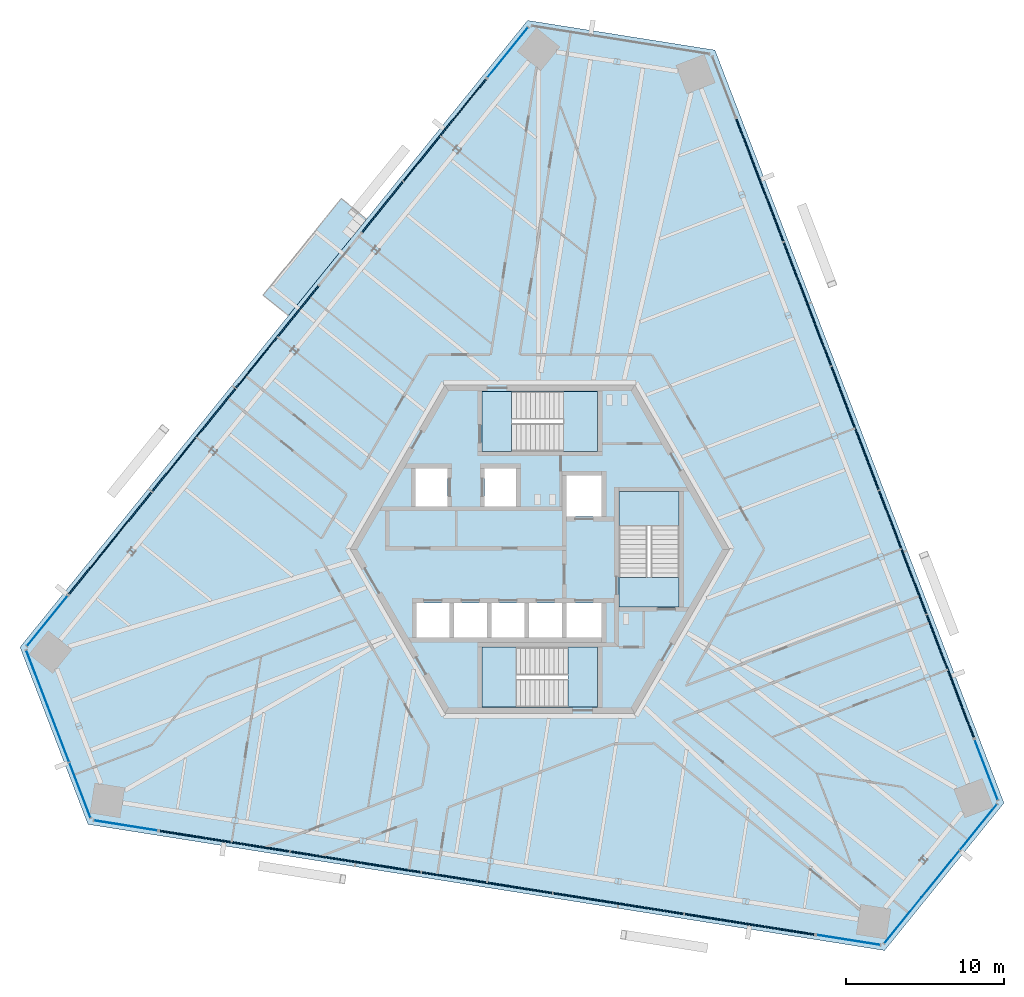
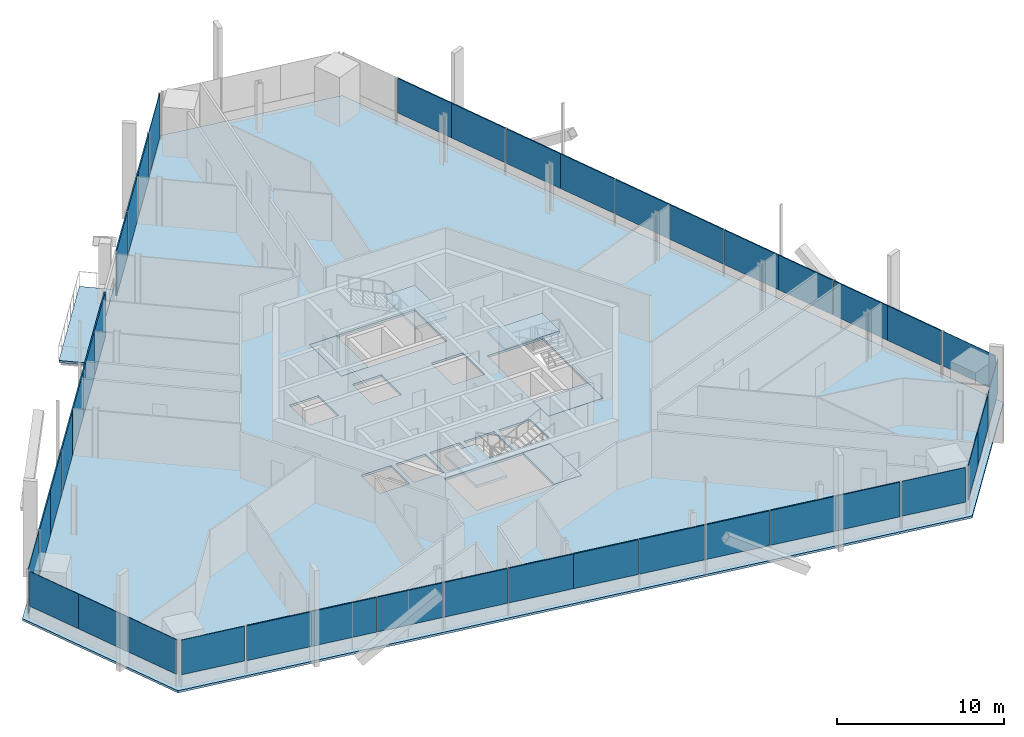
# One storey, part 10 of 21: 40 plates, 8 slabs, 14 elements without a shape of their own.
"""IFC4 building model written with IfcOpenShell, lengths in metres."""

from ifc_helpers import new_model, si_unit, direction, frame, origin, origin_2d, place, context, subcontext, project, spatial, polyline, rectangle, outline, extrude, source, transform, mapped, material, layer, layer_set, type_object, element, aggregate, save


model = new_model("IFC4")

# Units and contexts
model_context = context("Model", 3, precision=1e-05, world=origin(), true_north=direction((0.0, 1.0)))
body_context = subcontext(model_context, "Body", "Model", "MODEL_VIEW")
ifc_project = project(units=[si_unit("LENGTHUNIT", "METRE"), si_unit("AREAUNIT", "SQUARE_METRE"), si_unit("VOLUMEUNIT", "CUBIC_METRE"), si_unit("PLANEANGLEUNIT", "RADIAN"), si_unit("MASSUNIT", "GRAM", prefix="KILO")], contexts=[model_context])

# Site, building, storey
site_placement = place(None, origin())
site = spatial("IfcSite", under=ifc_project, at=site_placement, CompositionType="ELEMENT")
building_placement = place(site_placement, origin())
building = spatial("IfcBuilding", under=site, at=building_placement, Name="Triune Harvest Tower", CompositionType="ELEMENT")
storey_placement = place(building_placement, frame((0.0, 0.0, 146.10009765625)))
storey = spatial("IfcBuildingStorey", under=building, at=storey_placement, Name="L37", CompositionType="ELEMENT", Elevation=146.10009765625)

# Slabs
ifc_material_1 = material(Name="Concrete 40 MPa", Category="concrete")
ifc_layer_1 = layer(ifc_material_1, 0.159912109375)
ifc_layer_set_1 = layer_set([ifc_layer_1], Name="Concrete 40 MPa")
slab_type_1 = type_object("IfcSlabType", Name="BA-1 balcony slab 160", PredefinedType="FLOOR", material=ifc_layer_set_1)
slab_1_placement = place(storey_placement, frame((0.0, 0.0, -0.16015625)))
element("IfcSlab", 1, at=slab_1_placement, inside=storey, type_object=slab_type_1, Name="Balcony slab B4-F3 L37.5", PredefinedType="FLOOR", context=body_context, shape_type="SweptSolid", body=[
    extrude(outline(polyline([(-10.953125, 20.877197265625), (-15.894775390625, 14.77490234375), (-17.49658203125, 16.072265625), (-12.554931640625, 22.174560546875), (-10.953125, 20.877197265625)])), origin(), (0.0, 0.0, 1.0), 0.16015625),
])
ifc_material_2 = material(Name="Concrete 40 MPa", Category="concrete")
ifc_layer_2 = layer(ifc_material_2, 0.159912109375)
ifc_layer_set_2 = layer_set([ifc_layer_2], Name="Concrete 40 MPa")
slab_type_2 = type_object("IfcSlabType", Name="SL-1 Composite floor slab 160", PredefinedType="FLOOR", material=ifc_layer_set_2)
shared_shape_1 = source(origin(), body_context, "Body", "SweptSolid", [
    extrude(outline(polyline([(29.35107421875, -16.04736328125), (11.07421875, 31.565185546875), (-0.778076171875, 33.4423828125), (-32.873291015625, -6.19189453125), (-28.572998046875, -17.39501953125), (21.799072265625, -25.373291015625), (29.35107421875, -16.04736328125)]), holes=[polyline([(-5.72509765625, -5.590087890625), (-5.72509765625, -3.389892578125), (-7.800048828125, -3.389892578125), (-7.800048828125, -5.590087890625), (-5.72509765625, -5.590087890625)]), polyline([(-3.35009765625, -5.590087890625), (-3.35009765625, -3.389892578125), (-5.425048828125, -3.389892578125), (-5.425048828125, -5.590087890625), (-3.35009765625, -5.590087890625)]), polyline([(-0.97509765625, -5.590087890625), (-0.97509765625, -3.389892578125), (-3.050048828125, -3.389892578125), (-3.050048828125, -5.590087890625), (-0.97509765625, -5.590087890625)]), polyline([(1.39990234375, -5.590087890625), (1.39990234375, -3.389892578125), (-0.675048828125, -3.389892578125), (-0.675048828125, -5.590087890625), (1.39990234375, -5.590087890625)]), polyline([(3.89990234375, 2.06005859375), (3.89990234375, 4.659912109375), (1.699951171875, 4.659912109375), (1.699951171875, 2.06005859375), (3.89990234375, 2.06005859375)]), polyline([(3.89990234375, -5.590087890625), (3.89990234375, -3.389892578125), (1.699951171875, -3.389892578125), (1.699951171875, -5.590087890625), (3.89990234375, -5.590087890625)]), polyline([(-5.85009765625, 2.7099609375), (-5.85009765625, 5.110107421875), (-7.85009765625, 5.110107421875), (-7.85009765625, 2.7099609375), (-5.85009765625, 2.7099609375)]), polyline([(-1.5, 2.7099609375), (-1.5, 5.110107421875), (-3.5, 5.110107421875), (-3.5, 2.7099609375), (-1.5, 2.7099609375)]), polyline([(3.64990234375, 6.18994140625), (3.64990234375, 9.989990234375), (-3.64990234375, 9.989990234375), (-3.64990234375, 6.18994140625), (3.64990234375, 6.18994140625)]), polyline([(3.64990234375, -9.989990234375), (3.64990234375, -6.18994140625), (-3.64990234375, -6.18994140625), (-3.64990234375, -9.989990234375), (3.64990234375, -9.989990234375)]), polyline([(8.800048828125, -3.64990234375), (8.800048828125, 3.64990234375), (5.0, 3.64990234375), (5.0, -3.64990234375), (8.800048828125, -3.64990234375)])]), origin(), (0.0, 0.0, 1.0), 0.16015625),
])
slab_2_placement = place(storey_placement, frame((0.0, 0.0, -0.16015625)))
element("IfcSlab", 2, at=slab_2_placement, inside=storey, type_object=slab_type_2, Name="slab/L37/1", PredefinedType="FLOOR", context=body_context, shape_type="MappedRepresentation", body=[
    mapped(shared_shape_1, transform((0.0, 0.0, 0.0), scale=1.0)),
])

# Stair, slabs
ifc_material_3 = material(Name="Concrete 40 MPa", Category="concrete")
stair_type = type_object("IfcStairType", Name="Exit stair 1800 half turn", PredefinedType="HALF_TURN_STAIR", material=ifc_material_3)
stair_1_placement = place(storey_placement, origin())
stair_1 = element("IfcStair", 3, at=stair_1_placement, inside=storey, type_object=stair_type, Name="Exit stair north", PredefinedType="HALF_TURN_STAIR")
ifc_material_4 = material(Name="Concrete 40 MPa", Category="concrete")
ifc_layer_3 = layer(ifc_material_4, 0.199951171875)
ifc_layer_set_3 = layer_set([ifc_layer_3], Name="Concrete 40 MPa")
slab_type_3 = type_object("IfcSlabType", Name="Stair landing 200", PredefinedType="LANDING", material=ifc_layer_set_3)
shared_shape_2 = source(origin(), body_context, "Body", "SweptSolid", [
    extrude(outline(polyline([(1.510009765625, 6.18994140625), (3.64990234375, 6.18994140625), (3.64990234375, 9.989990234375), (1.510009765625, 9.989990234375), (1.510009765625, 6.18994140625)])), origin(), (0.0, 0.0, 1.0), 0.199951171875),
])
slab_3_placement = place(storey_placement, frame((0.0, 0.0, 1.599853515625)))
slab_3 = element("IfcSlab", 4, at=slab_3_placement, type_object=slab_type_3, Name="ST-1 landing 2", PredefinedType="LANDING", context=body_context, shape_type="MappedRepresentation", body=[
    mapped(shared_shape_2, transform((0.0, 0.0, 0.0), scale=1.0)),
])
shared_shape_3 = source(origin(), body_context, "Body", "SweptSolid", [
    extrude(outline(polyline([(-3.64990234375, 6.18994140625), (-1.780029296875, 6.18994140625), (-1.780029296875, 9.989990234375), (-3.64990234375, 9.989990234375), (-3.64990234375, 6.18994140625)])), origin(), (0.0, 0.0, 1.0), 0.2001953125),
])
slab_4_placement = place(storey_placement, frame((0.0, 0.0, -0.2001953125)))
slab_4 = element("IfcSlab", 5, at=slab_4_placement, type_object=slab_type_3, Name="ST-1 landing 1", PredefinedType="LANDING", context=body_context, shape_type="MappedRepresentation", body=[
    mapped(shared_shape_3, transform((0.0, 0.0, 0.0), scale=1.0)),
])
aggregate(stair_1, [slab_4, slab_3])

stair_2_placement = place(storey_placement, origin())
stair_2 = element("IfcStair", 6, at=stair_2_placement, inside=storey, type_object=stair_type, Name="Exit stair south", PredefinedType="HALF_TURN_STAIR")
shared_shape_4 = source(origin(), body_context, "Body", "SweptSolid", [
    extrude(outline(polyline([(-1.510009765625, -6.18994140625), (-3.64990234375, -6.18994140625), (-3.64990234375, -9.989990234375), (-1.510009765625, -9.989990234375), (-1.510009765625, -6.18994140625)])), origin(), (0.0, 0.0, 1.0), 0.199951171875),
])
slab_5_placement = place(storey_placement, frame((0.0, 0.0, 1.599853515625)))
slab_5 = element("IfcSlab", 7, at=slab_5_placement, type_object=slab_type_3, Name="ST-2 landing 2", PredefinedType="LANDING", context=body_context, shape_type="MappedRepresentation", body=[
    mapped(shared_shape_4, transform((0.0, 0.0, 0.0), scale=1.0)),
])
shared_shape_5 = source(origin(), body_context, "Body", "SweptSolid", [
    extrude(outline(polyline([(3.64990234375, -6.18994140625), (1.780029296875, -6.18994140625), (1.780029296875, -9.989990234375), (3.64990234375, -9.989990234375), (3.64990234375, -6.18994140625)])), origin(), (0.0, 0.0, 1.0), 0.2001953125),
])
slab_6_placement = place(storey_placement, frame((0.0, 0.0, -0.2001953125)))
slab_6 = element("IfcSlab", 8, at=slab_6_placement, type_object=slab_type_3, Name="ST-2 landing 1", PredefinedType="LANDING", context=body_context, shape_type="MappedRepresentation", body=[
    mapped(shared_shape_5, transform((0.0, 0.0, 0.0), scale=1.0)),
])
aggregate(stair_2, [slab_6, slab_5])

stair_3_placement = place(storey_placement, origin())
stair_3 = element("IfcStair", 9, at=stair_3_placement, inside=storey, type_object=stair_type, Name="Exit stair east", PredefinedType="HALF_TURN_STAIR")
shared_shape_6 = source(origin(), body_context, "Body", "SweptSolid", [
    extrude(outline(polyline([(8.800048828125, 1.510009765625), (8.800048828125, 3.64990234375), (5.0, 3.64990234375), (5.0, 1.510009765625), (8.800048828125, 1.510009765625)])), origin(), (0.0, 0.0, 1.0), 0.199951171875),
])
slab_7_placement = place(storey_placement, frame((0.0, 0.0, 1.599853515625)))
slab_7 = element("IfcSlab", 10, at=slab_7_placement, type_object=slab_type_3, Name="ST-3 landing 2", PredefinedType="LANDING", context=body_context, shape_type="MappedRepresentation", body=[
    mapped(shared_shape_6, transform((0.0, 0.0, 0.0), scale=1.0)),
])
shared_shape_7 = source(origin(), body_context, "Body", "SweptSolid", [
    extrude(outline(polyline([(8.800048828125, -3.64990234375), (8.800048828125, -1.780029296875), (5.0, -1.780029296875), (5.0, -3.64990234375), (8.800048828125, -3.64990234375)])), origin(), (0.0, 0.0, 1.0), 0.2001953125),
])
slab_8_placement = place(storey_placement, frame((0.0, 0.0, -0.2001953125)))
slab_8 = element("IfcSlab", 11, at=slab_8_placement, type_object=slab_type_3, Name="ST-3 landing 1", PredefinedType="LANDING", context=body_context, shape_type="MappedRepresentation", body=[
    mapped(shared_shape_7, transform((0.0, 0.0, 0.0), scale=1.0)),
])
aggregate(stair_3, [slab_8, slab_7])

# Curtain wall, plate
ifc_material_5 = material(Name="Aluminium bronze anodised", Category="aluminium")
curtain_wall_type_1 = type_object("IfcCurtainWallType", Name="CW-6 Balcony window wall", PredefinedType="NOTDEFINED", material=ifc_material_5)
curtain_wall_1_placement = place(storey_placement, origin())
curtain_wall_1 = element("IfcCurtainWall", 12, at=curtain_wall_1_placement, inside=storey, type_object=curtain_wall_type_1, Name="CW-6 B4-F3 L37 run 1")
ifc_material_6 = material(Name="Glass", Category="glass")
ifc_layer_4 = layer(ifc_material_6, 0.030029296875)
ifc_layer_set_4 = layer_set([ifc_layer_4], Name="Glass")
plate_type_1 = type_object("IfcPlateType", Name="GL-6 panel 30", PredefinedType="CURTAIN_PANEL", material=ifc_layer_set_4)
shared_shape_8 = source(origin(), body_context, "Body", "SweptSolid", [
    extrude(rectangle(XDim=4.048583984375, YDim=0.030029296875, at=origin_2d()), origin(), (0.0, 0.0, 1.0), 3.2900390625),
])
plate_1_placement = place(storey_placement, frame((-2.03173828125, 31.41748046875, 0.14990234375), z_axis=(0.0, 0.0, 1.0), x_axis=(-0.629316167233, -0.777149381818, 0.0)))
plate_1 = element("IfcPlate", 13, at=plate_1_placement, type_object=plate_type_1, Name="CW-6 panel B4-F3 1.1", PredefinedType="CURTAIN_PANEL", context=body_context, shape_type="MappedRepresentation", body=[
    mapped(shared_shape_8, transform((0.0, 0.0, 0.0), scale=1.0)),
])
aggregate(curtain_wall_1, [plate_1])

# Curtain wall, plates
ifc_material_7 = material(Name="Aluminium bronze anodised", Category="aluminium")
curtain_wall_type_2 = type_object("IfcCurtainWallType", Name="CW-10 Balcony window wall with insulated spandrel infill", PredefinedType="NOTDEFINED", material=ifc_material_7)
curtain_wall_2_placement = place(storey_placement, origin())
curtain_wall_2 = element("IfcCurtainWall", 14, at=curtain_wall_2_placement, inside=storey, type_object=curtain_wall_type_2, Name="CW-10 B4-F3 L37 run 1001")
ifc_material_8 = material(Name="Insulated spandrel panel, bronze aluminium pan", Category="aluminium")
ifc_layer_5 = layer(ifc_material_8, 0.080078125)
ifc_layer_set_5 = layer_set([ifc_layer_5], Name="Insulated spandrel panel, bronze aluminium pan")
plate_type_2 = type_object("IfcPlateType", Name="SP-1 insulated spandrel panel 80", PredefinedType="CURTAIN_PANEL", material=ifc_layer_set_5)
shared_shape_9 = source(origin(), body_context, "Body", "SweptSolid", [
    extrude(rectangle(XDim=4.12353515625, YDim=0.080078125, at=origin_2d()), origin(), (0.0, 0.0, 1.0), 3.2900390625),
])
plate_2_placement = place(storey_placement, frame((-4.697509765625, 28.12548828125, 0.14990234375), z_axis=(0.0, 0.0, 1.0), x_axis=(-0.629323223036, -0.777143668151, 0.0)))
plate_2 = element("IfcPlate", 15, at=plate_2_placement, type_object=plate_type_2, Name="CW-10 panel B4-F3 1001.1", PredefinedType="CURTAIN_PANEL", context=body_context, shape_type="MappedRepresentation", body=[
    mapped(shared_shape_9, transform((0.0, 0.0, 0.0), scale=1.0)),
])
shared_shape_10 = source(origin(), body_context, "Body", "SweptSolid", [
    extrude(rectangle(XDim=4.1611328125, YDim=0.080078125, at=origin_2d()), origin(), (0.0, 0.0, 1.0), 3.2900390625),
])
plate_3_placement = place(storey_placement, frame((-7.304443359375, 24.90625, 0.14990234375), z_axis=(0.0, 0.0, 1.0), x_axis=(-0.629323223036, -0.777143668151, 0.0)))
plate_3 = element("IfcPlate", 16, at=plate_3_placement, type_object=plate_type_2, Name="CW-10 panel B4-F3 1001.2", PredefinedType="CURTAIN_PANEL", context=body_context, shape_type="MappedRepresentation", body=[
    mapped(shared_shape_10, transform((0.0, 0.0, 0.0), scale=1.0)),
])
shared_shape_11 = source(origin(), body_context, "Body", "SweptSolid", [
    extrude(rectangle(XDim=4.086181640625, YDim=0.080078125, at=origin_2d()), origin(), (0.0, 0.0, 1.0), 3.2900390625),
])
plate_4_placement = place(storey_placement, frame((-9.94677734375, 21.643310546875, 0.14990234375), z_axis=(0.0, 0.0, 1.0), x_axis=(-0.629323223036, -0.777143668151, 0.0)))
plate_4 = element("IfcPlate", 17, at=plate_4_placement, type_object=plate_type_2, Name="CW-10 panel B4-F3 1001.3", PredefinedType="CURTAIN_PANEL", context=body_context, shape_type="MappedRepresentation", body=[
    mapped(shared_shape_11, transform((0.0, 0.0, 0.0), scale=1.0)),
])
aggregate(curtain_wall_2, [plate_2, plate_3, plate_4])

curtain_wall_3_placement = place(storey_placement, origin())
curtain_wall_3 = element("IfcCurtainWall", 18, at=curtain_wall_3_placement, inside=storey, type_object=curtain_wall_type_2, Name="CW-10 B4-F3 L37 run 2")
shared_shape_12 = source(origin(), body_context, "Body", "SweptSolid", [
    extrude(rectangle(XDim=4.13330078125, YDim=0.080078125, at=origin_2d()), origin(), (0.0, 0.0, 1.0), 3.2900390625),
])
plate_5_placement = place(storey_placement, frame((-15.283935546875, 15.052490234375, 0.14990234375), z_axis=(0.0, 0.0, 1.0), x_axis=(-0.629321702732, -0.777144899276, 0.0)))
plate_5 = element("IfcPlate", 19, at=plate_5_placement, type_object=plate_type_2, Name="CW-10 panel B4-F3 2.1", PredefinedType="CURTAIN_PANEL", context=body_context, shape_type="MappedRepresentation", body=[
    mapped(shared_shape_12, transform((0.0, 0.0, 0.0), scale=1.0)),
])
plate_6_placement = place(storey_placement, frame((-28.478515625, -1.241455078125, 0.14990234375), z_axis=(0.0, 0.0, 1.0), x_axis=(-0.629321702732, -0.777144899276, 0.0)))
plate_6 = element("IfcPlate", 20, at=plate_6_placement, type_object=plate_type_2, Name="CW-10 panel B4-F3 2.6", PredefinedType="CURTAIN_PANEL", context=body_context, shape_type="MappedRepresentation", body=[
    mapped(shared_shape_12, transform((0.0, 0.0, 0.0), scale=1.0)),
])
shared_shape_13 = source(origin(), body_context, "Body", "SweptSolid", [
    extrude(rectangle(XDim=4.170654296875, YDim=0.080078125, at=origin_2d()), origin(), (0.0, 0.0, 1.0), 3.2900390625),
])
plate_7_placement = place(storey_placement, frame((-17.89697265625, 11.82568359375, 0.14990234375), z_axis=(0.0, 0.0, 1.0), x_axis=(-0.629321702732, -0.777144899276, 0.0)))
plate_7 = element("IfcPlate", 21, at=plate_7_placement, type_object=plate_type_2, Name="CW-10 panel B4-F3 2.2", PredefinedType="CURTAIN_PANEL", context=body_context, shape_type="MappedRepresentation", body=[
    mapped(shared_shape_13, transform((0.0, 0.0, 0.0), scale=1.0)),
])
plate_8_placement = place(storey_placement, frame((-20.56884765625, 8.526123046875, 0.14990234375), z_axis=(0.0, 0.0, 1.0), x_axis=(-0.629321702732, -0.777144899276, 0.0)))
plate_8 = element("IfcPlate", 22, at=plate_8_placement, type_object=plate_type_2, Name="CW-10 panel B4-F3 2.3", PredefinedType="CURTAIN_PANEL", context=body_context, shape_type="MappedRepresentation", body=[
    mapped(shared_shape_13, transform((0.0, 0.0, 0.0), scale=1.0)),
])
plate_9_placement = place(storey_placement, frame((-23.193603515625, 5.284912109375, 0.14990234375), z_axis=(0.0, 0.0, 1.0), x_axis=(-0.629321702732, -0.777144899276, 0.0)))
plate_9 = element("IfcPlate", 23, at=plate_9_placement, type_object=plate_type_2, Name="CW-10 panel B4-F3 2.4", PredefinedType="CURTAIN_PANEL", context=body_context, shape_type="MappedRepresentation", body=[
    mapped(shared_shape_13, transform((0.0, 0.0, 0.0), scale=1.0)),
])
plate_10_placement = place(storey_placement, frame((-25.865478515625, 1.9853515625, 0.14990234375), z_axis=(0.0, 0.0, 1.0), x_axis=(-0.629321702732, -0.777144899276, 0.0)))
plate_10 = element("IfcPlate", 24, at=plate_10_placement, type_object=plate_type_2, Name="CW-10 panel B4-F3 2.5", PredefinedType="CURTAIN_PANEL", context=body_context, shape_type="MappedRepresentation", body=[
    mapped(shared_shape_13, transform((0.0, 0.0, 0.0), scale=1.0)),
])
aggregate(curtain_wall_3, [plate_5, plate_7, plate_8, plate_9, plate_10, plate_6])

# Curtain wall, plate
curtain_wall_4_placement = place(storey_placement, origin())
curtain_wall_4 = element("IfcCurtainWall", 25, at=curtain_wall_4_placement, inside=storey, type_object=curtain_wall_type_1, Name="CW-6 B4-F3 L37 run 1002")
shared_shape_14 = source(origin(), body_context, "Body", "SweptSolid", [
    extrude(rectangle(XDim=4.058349609375, YDim=0.030029296875, at=origin_2d()), origin(), (0.0, 0.0, 1.0), 3.2900390625),
])
plate_11_placement = place(storey_placement, frame((-31.150390625, -4.541015625, 0.14990234375), z_axis=(0.0, 0.0, 1.0), x_axis=(-0.629319997294, -0.777146280314, 0.0)))
plate_11 = element("IfcPlate", 26, at=plate_11_placement, type_object=plate_type_1, Name="CW-6 panel B4-F3 1002.1", PredefinedType="CURTAIN_PANEL", context=body_context, shape_type="MappedRepresentation", body=[
    mapped(shared_shape_14, transform((0.0, 0.0, 0.0), scale=1.0)),
])
aggregate(curtain_wall_4, [plate_11])

ifc_material_9 = material(Name="Aluminium bronze anodised", Category="aluminium")
curtain_wall_type_3 = type_object("IfcCurtainWallType", Name="CW-1 Tower stick curtain wall", PredefinedType="NOTDEFINED", material=ifc_material_9)
curtain_wall_5_placement = place(storey_placement, origin())
curtain_wall_5 = element("IfcCurtainWall", 27, at=curtain_wall_5_placement, inside=storey, type_object=curtain_wall_type_3, Name="CW-1 B4-F4 L37 run 1")
ifc_material_10 = material(Name="Glass", Category="glass")
ifc_layer_6 = layer(ifc_material_10, 0.031982421875)
ifc_layer_set_6 = layer_set([ifc_layer_6], Name="Glass")
plate_type_3 = type_object("IfcPlateType", Name="GL-1 panel 32", PredefinedType="CURTAIN_PANEL", material=ifc_layer_set_6)
shared_shape_15 = source(origin(), body_context, "Body", "SweptSolid", [
    extrude(rectangle(XDim=3.74951171875, YDim=0.031982421875, at=origin_2d()), origin(), (0.0, 0.0, 1.0), 2.5400390625),
])
plate_12_placement = place(storey_placement, frame((-31.80029296875, -8.150390625, 0.89990234375), z_axis=(0.0, 0.0, 1.0), x_axis=(0.358368910177, -0.933580057745, 0.0)))
plate_12 = element("IfcPlate", 28, at=plate_12_placement, type_object=plate_type_3, Name="CW-1 panel B4-F4 1.1", PredefinedType="CURTAIN_PANEL", context=body_context, shape_type="MappedRepresentation", body=[
    mapped(shared_shape_15, transform((0.0, 0.0, 0.0), scale=1.0)),
])

curtain_wall_6_placement = place(storey_placement, origin())
curtain_wall_6 = element("IfcCurtainWall", 29, at=curtain_wall_6_placement, inside=storey, type_object=curtain_wall_type_3, Name="CW-1 B4-F6 L37 run 1")
plate_13_placement = place(storey_placement, frame((22.958740234375, -23.464599609375, 0.89990234375), z_axis=(0.0, 0.0, 1.0), x_axis=(0.629320905414, 0.777145544932, 0.0)))
plate_13 = element("IfcPlate", 30, at=plate_13_placement, type_object=plate_type_3, Name="CW-1 panel B4-F6 1.1", PredefinedType="CURTAIN_PANEL", context=body_context, shape_type="MappedRepresentation", body=[
    mapped(shared_shape_15, transform((0.0, 0.0, 0.0), scale=1.0)),
])

# Plate
shared_shape_16 = source(origin(), body_context, "Body", "SweptSolid", [
    extrude(rectangle(XDim=3.787109375, YDim=0.031982421875, at=origin_2d()), origin(), (0.0, 0.0, 1.0), 2.5400390625),
])
plate_14_placement = place(storey_placement, frame((-30.449951171875, -11.66845703125, 0.89990234375), z_axis=(0.0, 0.0, 1.0), x_axis=(0.358368910177, -0.933580057745, 0.0)))
plate_14 = element("IfcPlate", 31, at=plate_14_placement, type_object=plate_type_3, Name="CW-1 panel B4-F4 1.2", PredefinedType="CURTAIN_PANEL", context=body_context, shape_type="MappedRepresentation", body=[
    mapped(shared_shape_16, transform((0.0, 0.0, 0.0), scale=1.0)),
])

plate_15_placement = place(storey_placement, frame((25.330078125, -20.5361328125, 0.89990234375), z_axis=(0.0, 0.0, 1.0), x_axis=(0.629320905414, 0.777145544932, 0.0)))
plate_15 = element("IfcPlate", 32, at=plate_15_placement, type_object=plate_type_3, Name="CW-1 panel B4-F6 1.2", PredefinedType="CURTAIN_PANEL", context=body_context, shape_type="MappedRepresentation", body=[
    mapped(shared_shape_16, transform((0.0, 0.0, 0.0), scale=1.0)),
])

# Curtain wall, plate
curtain_wall_7_placement = place(storey_placement, origin())
curtain_wall_7 = element("IfcCurtainWall", 33, at=curtain_wall_7_placement, inside=storey, type_object=curtain_wall_type_3, Name="CW-1 B4-F1 L37 run 1")
shared_shape_17 = source(origin(), body_context, "Body", "SweptSolid", [
    extrude(rectangle(XDim=4.05615234375, YDim=0.031982421875, at=origin_2d()), origin(), (0.0, 0.0, 1.0), 2.5400390625),
])
plate_16_placement = place(storey_placement, frame((28.222900390625, -13.94580078125, 0.89990234375), z_axis=(0.0, 0.0, 1.0), x_axis=(-0.358367533395, 0.933580586242, 0.0)))
plate_16 = element("IfcPlate", 34, at=plate_16_placement, type_object=plate_type_3, Name="CW-1 panel B4-F1 1.1", PredefinedType="CURTAIN_PANEL", context=body_context, shape_type="MappedRepresentation", body=[
    mapped(shared_shape_17, transform((0.0, 0.0, 0.0), scale=1.0)),
])
aggregate(curtain_wall_7, [plate_16])

curtain_wall_8_placement = place(storey_placement, origin())
curtain_wall_8 = element("IfcCurtainWall", 35, at=curtain_wall_8_placement, inside=storey, type_object=curtain_wall_type_3, Name="CW-1 B4-F5 L37 run 1")
plate_17_placement = place(storey_placement, frame((-26.18896484375, -17.468994140625, 0.89990234375), z_axis=(0.0, 0.0, 1.0), x_axis=(0.987686757445, -0.15644446033, 0.0)))
plate_17 = element("IfcPlate", 36, at=plate_17_placement, type_object=plate_type_3, Name="CW-1 panel B4-F5 1.1", PredefinedType="CURTAIN_PANEL", context=body_context, shape_type="MappedRepresentation", body=[
    mapped(shared_shape_17, transform((0.0, 0.0, 0.0), scale=1.0)),
])
aggregate(curtain_wall_8, [plate_17])

curtain_wall_9_placement = place(storey_placement, origin())
curtain_wall_9 = element("IfcCurtainWall", 37, at=curtain_wall_9_placement, inside=storey, type_object=curtain_wall_type_3, Name="CW-1 B4-F5 L37 run 2001")
plate_18_placement = place(storey_placement, frame((19.509033203125, -24.706787109375, 0.89990234375), z_axis=(0.0, 0.0, 1.0), x_axis=(0.987686757445, -0.15644446033, 0.0)))
plate_18 = element("IfcPlate", 38, at=plate_18_placement, type_object=plate_type_3, Name="CW-1 panel B4-F5 2001.1", PredefinedType="CURTAIN_PANEL", context=body_context, shape_type="MappedRepresentation", body=[
    mapped(shared_shape_17, transform((0.0, 0.0, 0.0), scale=1.0)),
])
aggregate(curtain_wall_9, [plate_18])

# Curtain wall, plates
ifc_material_11 = material(Name="Aluminium bronze anodised", Category="aluminium")
curtain_wall_type_4 = type_object("IfcCurtainWallType", Name="CW-7 Tower stick curtain wall with insulated spandrel infill", PredefinedType="NOTDEFINED", material=ifc_material_11)
curtain_wall_10_placement = place(storey_placement, origin())
curtain_wall_10 = element("IfcCurtainWall", 39, at=curtain_wall_10_placement, inside=storey, type_object=curtain_wall_type_4, Name="CW-7 B4-F1 L37 run 1001")
shared_shape_18 = source(origin(), body_context, "Body", "SweptSolid", [
    extrude(rectangle(XDim=4.131103515625, YDim=0.080078125, at=origin_2d()), origin(), (0.0, 0.0, 1.0), 2.5400390625),
])
plate_19_placement = place(storey_placement, frame((26.7021484375, -9.984130859375, 0.89990234375), z_axis=(0.0, 0.0, 1.0), x_axis=(-0.35836962006, 0.933579785245, 0.0)))
plate_19 = element("IfcPlate", 40, at=plate_19_placement, type_object=plate_type_2, Name="CW-7 panel B4-F1 1001.1", PredefinedType="CURTAIN_PANEL", context=body_context, shape_type="MappedRepresentation", body=[
    mapped(shared_shape_18, transform((0.0, 0.0, 0.0), scale=1.0)),
])
plate_20_placement = place(storey_placement, frame((13.162841796875, 25.286865234375, 0.89990234375), z_axis=(0.0, 0.0, 1.0), x_axis=(-0.35836962006, 0.933579785245, 0.0)))
plate_20 = element("IfcPlate", 41, at=plate_20_placement, type_object=plate_type_2, Name="CW-7 panel B4-F1 1001.10", PredefinedType="CURTAIN_PANEL", context=body_context, shape_type="MappedRepresentation", body=[
    mapped(shared_shape_18, transform((0.0, 0.0, 0.0), scale=1.0)),
])

curtain_wall_11_placement = place(storey_placement, origin())
curtain_wall_11 = element("IfcCurtainWall", 42, at=curtain_wall_11_placement, inside=storey, type_object=curtain_wall_type_4, Name="CW-7 B4-F5 L37 run 1001")
plate_21_placement = place(storey_placement, frame((-21.99755859375, -18.1328125, 0.89990234375), z_axis=(0.0, 0.0, 1.0), x_axis=(0.987688560391, -0.156433077296, 0.0)))
plate_21 = element("IfcPlate", 43, at=plate_21_placement, type_object=plate_type_2, Name="CW-7 panel B4-F5 1001.1", PredefinedType="CURTAIN_PANEL", context=body_context, shape_type="MappedRepresentation", body=[
    mapped(shared_shape_18, transform((0.0, 0.0, 0.0), scale=1.0)),
])
plate_22_placement = place(storey_placement, frame((15.317626953125, -24.042724609375, 0.89990234375), z_axis=(0.0, 0.0, 1.0), x_axis=(0.987688560391, -0.156433077296, 0.0)))
plate_22 = element("IfcPlate", 44, at=plate_22_placement, type_object=plate_type_2, Name="CW-7 panel B4-F5 1001.10", PredefinedType="CURTAIN_PANEL", context=body_context, shape_type="MappedRepresentation", body=[
    mapped(shared_shape_18, transform((0.0, 0.0, 0.0), scale=1.0)),
])

# Plate
shared_shape_19 = source(origin(), body_context, "Body", "SweptSolid", [
    extrude(rectangle(XDim=4.168701171875, YDim=0.080078125, at=origin_2d()), origin(), (0.0, 0.0, 1.0), 2.5400390625),
])
plate_23_placement = place(storey_placement, frame((25.215087890625, -6.10986328125, 0.89990234375), z_axis=(0.0, 0.0, 1.0), x_axis=(-0.35836962006, 0.933579785245, 0.0)))
plate_23 = element("IfcPlate", 45, at=plate_23_placement, type_object=plate_type_2, Name="CW-7 panel B4-F1 1001.2", PredefinedType="CURTAIN_PANEL", context=body_context, shape_type="MappedRepresentation", body=[
    mapped(shared_shape_19, transform((0.0, 0.0, 0.0), scale=1.0)),
])

plate_24_placement = place(storey_placement, frame((23.694091796875, -2.14794921875, 0.89990234375), z_axis=(0.0, 0.0, 1.0), x_axis=(-0.35836962006, 0.933579785245, 0.0)))
plate_24 = element("IfcPlate", 46, at=plate_24_placement, type_object=plate_type_2, Name="CW-7 panel B4-F1 1001.3", PredefinedType="CURTAIN_PANEL", context=body_context, shape_type="MappedRepresentation", body=[
    mapped(shared_shape_19, transform((0.0, 0.0, 0.0), scale=1.0)),
])

plate_25_placement = place(storey_placement, frame((22.2001953125, 1.74365234375, 0.89990234375), z_axis=(0.0, 0.0, 1.0), x_axis=(-0.35836962006, 0.933579785245, 0.0)))
plate_25 = element("IfcPlate", 47, at=plate_25_placement, type_object=plate_type_2, Name="CW-7 panel B4-F1 1001.4", PredefinedType="CURTAIN_PANEL", context=body_context, shape_type="MappedRepresentation", body=[
    mapped(shared_shape_19, transform((0.0, 0.0, 0.0), scale=1.0)),
])

plate_26_placement = place(storey_placement, frame((20.679443359375, 5.70556640625, 0.89990234375), z_axis=(0.0, 0.0, 1.0), x_axis=(-0.35836962006, 0.933579785245, 0.0)))
plate_26 = element("IfcPlate", 48, at=plate_26_placement, type_object=plate_type_2, Name="CW-7 panel B4-F1 1001.5", PredefinedType="CURTAIN_PANEL", context=body_context, shape_type="MappedRepresentation", body=[
    mapped(shared_shape_19, transform((0.0, 0.0, 0.0), scale=1.0)),
])

plate_27_placement = place(storey_placement, frame((19.185546875, 9.59716796875, 0.89990234375), z_axis=(0.0, 0.0, 1.0), x_axis=(-0.35836962006, 0.933579785245, 0.0)))
plate_27 = element("IfcPlate", 49, at=plate_27_placement, type_object=plate_type_2, Name="CW-7 panel B4-F1 1001.6", PredefinedType="CURTAIN_PANEL", context=body_context, shape_type="MappedRepresentation", body=[
    mapped(shared_shape_19, transform((0.0, 0.0, 0.0), scale=1.0)),
])

plate_28_placement = place(storey_placement, frame((17.664794921875, 13.55908203125, 0.89990234375), z_axis=(0.0, 0.0, 1.0), x_axis=(-0.35836962006, 0.933579785245, 0.0)))
plate_28 = element("IfcPlate", 50, at=plate_28_placement, type_object=plate_type_2, Name="CW-7 panel B4-F1 1001.7", PredefinedType="CURTAIN_PANEL", context=body_context, shape_type="MappedRepresentation", body=[
    mapped(shared_shape_19, transform((0.0, 0.0, 0.0), scale=1.0)),
])

plate_29_placement = place(storey_placement, frame((16.1708984375, 17.45068359375, 0.89990234375), z_axis=(0.0, 0.0, 1.0), x_axis=(-0.35836962006, 0.933579785245, 0.0)))
plate_29 = element("IfcPlate", 51, at=plate_29_placement, type_object=plate_type_2, Name="CW-7 panel B4-F1 1001.8", PredefinedType="CURTAIN_PANEL", context=body_context, shape_type="MappedRepresentation", body=[
    mapped(shared_shape_19, transform((0.0, 0.0, 0.0), scale=1.0)),
])

plate_30_placement = place(storey_placement, frame((14.650146484375, 21.41259765625, 0.89990234375), z_axis=(0.0, 0.0, 1.0), x_axis=(-0.35836962006, 0.933579785245, 0.0)))
plate_30 = element("IfcPlate", 52, at=plate_30_placement, type_object=plate_type_2, Name="CW-7 panel B4-F1 1001.9", PredefinedType="CURTAIN_PANEL", context=body_context, shape_type="MappedRepresentation", body=[
    mapped(shared_shape_19, transform((0.0, 0.0, 0.0), scale=1.0)),
])

aggregate(curtain_wall_10, [plate_19, plate_23, plate_24, plate_25, plate_26, plate_27, plate_28, plate_29, plate_30, plate_20])

plate_31_placement = place(storey_placement, frame((-17.898681640625, -18.781982421875, 0.89990234375), z_axis=(0.0, 0.0, 1.0), x_axis=(0.987688560391, -0.156433077296, 0.0)))
plate_31 = element("IfcPlate", 53, at=plate_31_placement, type_object=plate_type_2, Name="CW-7 panel B4-F5 1001.2", PredefinedType="CURTAIN_PANEL", context=body_context, shape_type="MappedRepresentation", body=[
    mapped(shared_shape_19, transform((0.0, 0.0, 0.0), scale=1.0)),
])

plate_32_placement = place(storey_placement, frame((-13.707275390625, -19.44580078125, 0.89990234375), z_axis=(0.0, 0.0, 1.0), x_axis=(0.987688560391, -0.156433077296, 0.0)))
plate_32 = element("IfcPlate", 54, at=plate_32_placement, type_object=plate_type_2, Name="CW-7 panel B4-F5 1001.3", PredefinedType="CURTAIN_PANEL", context=body_context, shape_type="MappedRepresentation", body=[
    mapped(shared_shape_19, transform((0.0, 0.0, 0.0), scale=1.0)),
])

plate_33_placement = place(storey_placement, frame((-9.590087890625, -20.097900390625, 0.89990234375), z_axis=(0.0, 0.0, 1.0), x_axis=(0.987688560391, -0.156433077296, 0.0)))
plate_33 = element("IfcPlate", 55, at=plate_33_placement, type_object=plate_type_2, Name="CW-7 panel B4-F5 1001.4", PredefinedType="CURTAIN_PANEL", context=body_context, shape_type="MappedRepresentation", body=[
    mapped(shared_shape_19, transform((0.0, 0.0, 0.0), scale=1.0)),
])

plate_34_placement = place(storey_placement, frame((-5.398681640625, -20.76171875, 0.89990234375), z_axis=(0.0, 0.0, 1.0), x_axis=(0.987688560391, -0.156433077296, 0.0)))
plate_34 = element("IfcPlate", 56, at=plate_34_placement, type_object=plate_type_2, Name="CW-7 panel B4-F5 1001.5", PredefinedType="CURTAIN_PANEL", context=body_context, shape_type="MappedRepresentation", body=[
    mapped(shared_shape_19, transform((0.0, 0.0, 0.0), scale=1.0)),
])

plate_35_placement = place(storey_placement, frame((-1.28125, -21.413818359375, 0.89990234375), z_axis=(0.0, 0.0, 1.0), x_axis=(0.987688560391, -0.156433077296, 0.0)))
plate_35 = element("IfcPlate", 57, at=plate_35_placement, type_object=plate_type_2, Name="CW-7 panel B4-F5 1001.6", PredefinedType="CURTAIN_PANEL", context=body_context, shape_type="MappedRepresentation", body=[
    mapped(shared_shape_19, transform((0.0, 0.0, 0.0), scale=1.0)),
])

plate_36_placement = place(storey_placement, frame((2.91015625, -22.07763671875, 0.89990234375), z_axis=(0.0, 0.0, 1.0), x_axis=(0.987688560391, -0.156433077296, 0.0)))
plate_36 = element("IfcPlate", 58, at=plate_36_placement, type_object=plate_type_2, Name="CW-7 panel B4-F5 1001.7", PredefinedType="CURTAIN_PANEL", context=body_context, shape_type="MappedRepresentation", body=[
    mapped(shared_shape_19, transform((0.0, 0.0, 0.0), scale=1.0)),
])

plate_37_placement = place(storey_placement, frame((7.02734375, -22.729736328125, 0.89990234375), z_axis=(0.0, 0.0, 1.0), x_axis=(0.987688560391, -0.156433077296, 0.0)))
plate_37 = element("IfcPlate", 59, at=plate_37_placement, type_object=plate_type_2, Name="CW-7 panel B4-F5 1001.8", PredefinedType="CURTAIN_PANEL", context=body_context, shape_type="MappedRepresentation", body=[
    mapped(shared_shape_19, transform((0.0, 0.0, 0.0), scale=1.0)),
])

plate_38_placement = place(storey_placement, frame((11.21875, -23.3935546875, 0.89990234375), z_axis=(0.0, 0.0, 1.0), x_axis=(0.987688560391, -0.156433077296, 0.0)))
plate_38 = element("IfcPlate", 60, at=plate_38_placement, type_object=plate_type_2, Name="CW-7 panel B4-F5 1001.9", PredefinedType="CURTAIN_PANEL", context=body_context, shape_type="MappedRepresentation", body=[
    mapped(shared_shape_19, transform((0.0, 0.0, 0.0), scale=1.0)),
])

aggregate(curtain_wall_11, [plate_21, plate_31, plate_32, plate_33, plate_34, plate_35, plate_36, plate_37, plate_38, plate_22])

shared_shape_20 = source(origin(), body_context, "Body", "SweptSolid", [
    extrude(rectangle(XDim=3.712158203125, YDim=0.031982421875, at=origin_2d()), origin(), (0.0, 0.0, 1.0), 2.5400390625),
])
plate_39_placement = place(storey_placement, frame((-29.079345703125, -15.239013671875, 0.89990234375), z_axis=(0.0, 0.0, 1.0), x_axis=(0.358368910177, -0.933580057745, 0.0)))
plate_39 = element("IfcPlate", 61, at=plate_39_placement, type_object=plate_type_3, Name="CW-1 panel B4-F4 1.3", PredefinedType="CURTAIN_PANEL", context=body_context, shape_type="MappedRepresentation", body=[
    mapped(shared_shape_20, transform((0.0, 0.0, 0.0), scale=1.0)),
])

aggregate(curtain_wall_5, [plate_12, plate_14, plate_39])

plate_40_placement = place(storey_placement, frame((27.737060546875, -17.563720703125, 0.89990234375), z_axis=(0.0, 0.0, 1.0), x_axis=(0.629320905414, 0.777145544932, 0.0)))
plate_40 = element("IfcPlate", 62, at=plate_40_placement, type_object=plate_type_3, Name="CW-1 panel B4-F6 1.3", PredefinedType="CURTAIN_PANEL", context=body_context, shape_type="MappedRepresentation", body=[
    mapped(shared_shape_20, transform((0.0, 0.0, 0.0), scale=1.0)),
])

aggregate(curtain_wall_6, [plate_13, plate_15, plate_40])

save(model, "model.ifc")
